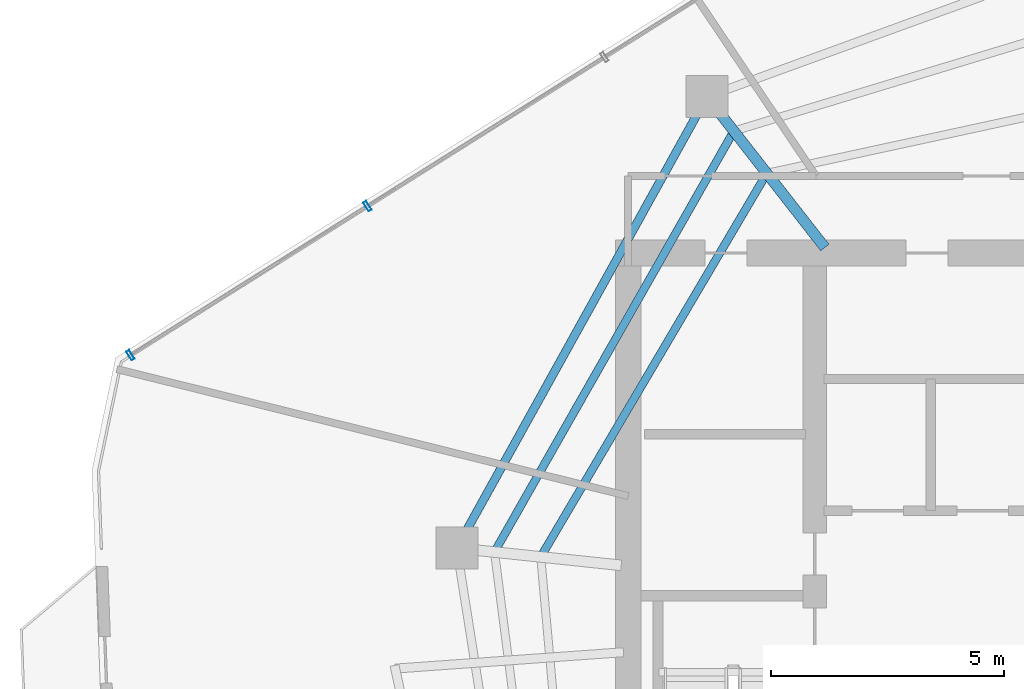
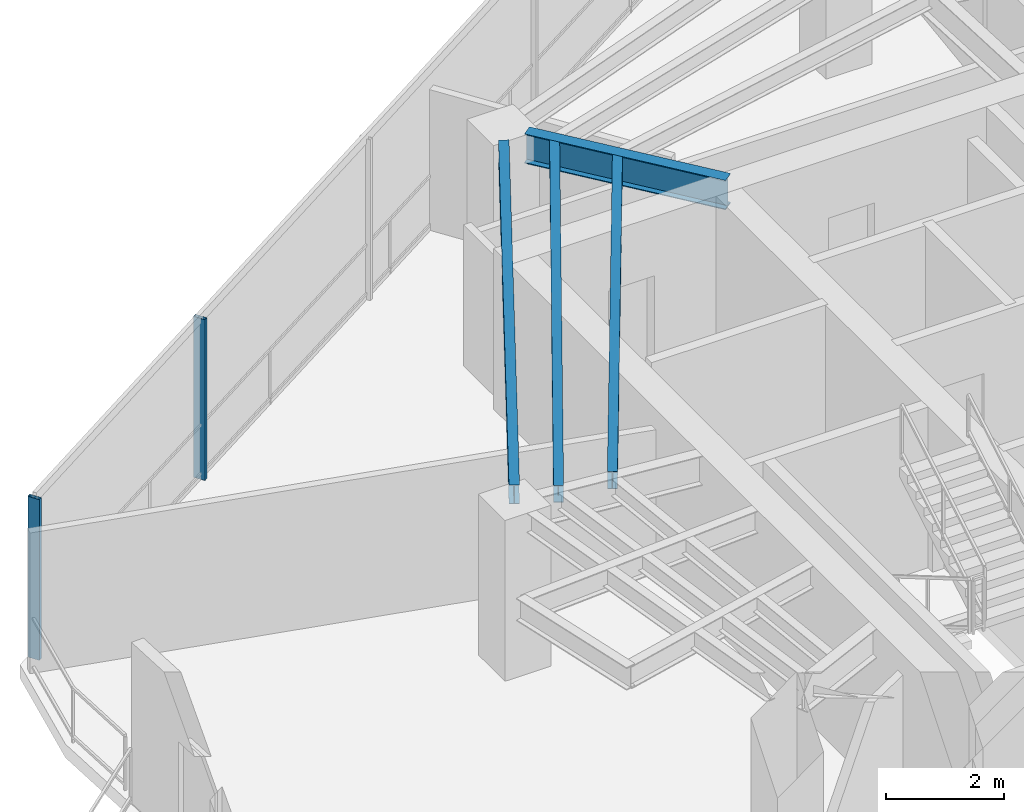
# One storey, part 5 of 19: 4 beams, 2 members, 1 element without a shape of its own.
"""IFC4 building model written with IfcOpenShell, lengths in metres."""

from ifc_helpers import new_model, si_unit, direction, frame, origin, origin_2d, place, context, subcontext, project, spatial, hollow_rectangle, i_section, extrude, material, layer, layer_set, material_profile, profile_set, type_object, element, aggregate, save


model = new_model("IFC4")

# Units and contexts
model_context = context("Model", 3, precision=1e-05, world=origin(), true_north=direction((0.0, 1.0)))
body_context = subcontext(model_context, "Body", "Model", "MODEL_VIEW")
ifc_project = project(units=[si_unit("LENGTHUNIT", "METRE"), si_unit("AREAUNIT", "SQUARE_METRE"), si_unit("VOLUMEUNIT", "CUBIC_METRE"), si_unit("PLANEANGLEUNIT", "RADIAN"), si_unit("MASSUNIT", "GRAM", prefix="KILO")], contexts=[model_context])

# Site, building, storey
site_placement = place(None, origin())
site = spatial("IfcSite", under=ifc_project, at=site_placement, CompositionType="ELEMENT")
building_placement = place(site_placement, origin())
building = spatial("IfcBuilding", under=site, at=building_placement, Name="Qarnah Convention Tower", CompositionType="ELEMENT")
storey_placement = place(building_placement, frame((0.0, 0.0, 187.800048828125)))
storey = spatial("IfcBuildingStorey", under=building, at=storey_placement, Name="L50", CompositionType="ELEMENT", Elevation=187.800048828125)

# Beams
ifc_material_1 = material(Name="Structural steel S355JR", Category="steel")
ifc_material_profile_1 = material_profile(ifc_material_1, i_section(OverallWidth=0.172119140625, OverallDepth=0.35595703125, WebThickness=0.007080078125, FlangeThickness=0.011962890625, at=origin_2d()), Name="W360X51")
ifc_profile_set_1 = profile_set([ifc_material_profile_1], Name="Structural steel S355JR")
beam_type_1 = type_object("IfcBeamType", Name="BM-JST-W360", PredefinedType="JOIST", material=ifc_profile_set_1)
beam_1_placement = place(storey_placement, frame((29.02001953125, 36.735107421875, 3.141845703125), z_axis=(-0.494322447591, -0.869278619206, 0.0), x_axis=(0.869278619206, -0.494322447591, 0.0)))
element("IfcBeam", 1, at=beam_1_placement, inside=storey, type_object=beam_type_1, Name="L50 joist BM-L50-SJST-04", PredefinedType="JOIST", context=body_context, shape_type="SweptSolid", body=[
    extrude(i_section(OverallWidth=0.172119140625, OverallDepth=0.35595703125, WebThickness=0.007080078125, FlangeThickness=0.011962890625, at=origin_2d()), origin(), (0.0, 0.0, 1.0), 10.19580078125),
])
beam_2_placement = place(storey_placement, frame((29.72509765625, 35.830078125, 3.141845703125), z_axis=(-0.507800878702, -0.861474472976, 0.0), x_axis=(0.861474472976, -0.507800878702, 0.0)))
element("IfcBeam", 2, at=beam_2_placement, inside=storey, type_object=beam_type_1, Name="L50 joist BM-L50-IJST-04", PredefinedType="JOIST", context=body_context, shape_type="SweptSolid", body=[
    extrude(i_section(OverallWidth=0.172119140625, OverallDepth=0.35595703125, WebThickness=0.007080078125, FlangeThickness=0.011962890625, at=origin_2d()), origin(), (0.0, 0.0, 1.0), 9.3583984375),
])
ifc_material_profile_2 = material_profile(ifc_material_1, i_section(OverallWidth=0.22802734375, OverallDepth=0.60791015625, WebThickness=0.010986328125, FlangeThickness=0.01708984375, at=origin_2d()), Name="W610X113")
ifc_profile_set_2 = profile_set([ifc_material_profile_2], Name="Structural steel S355JR")
beam_type_2 = type_object("IfcBeamType", Name="BM-RAD-W610B", PredefinedType="BEAM", material=ifc_profile_set_2)
beam_3_placement = place(storey_placement, frame((31.013916015625, 34.318115234375, 3.015869140625), z_axis=(-0.615807906571, 0.787896327066, 0.0), x_axis=(-0.787896327066, -0.615807906571, 0.0)))
element("IfcBeam", 3, at=beam_3_placement, inside=storey, type_object=beam_type_2, Name="L50 beam BM-L50-RAD-04", PredefinedType="BEAM", context=body_context, shape_type="SweptSolid", body=[
    extrude(i_section(OverallWidth=0.22802734375, OverallDepth=0.60791015625, WebThickness=0.010986328125, FlangeThickness=0.01708984375, at=origin_2d()), origin(), (0.0, 0.0, 1.0), 3.671630859375),
])
ifc_material_profile_3 = material_profile(ifc_material_1, i_section(OverallWidth=0.179931640625, OverallDepth=0.39990234375, WebThickness=0.009033203125, FlangeThickness=0.013916015625, at=origin_2d()), Name="IPE400")
ifc_profile_set_3 = profile_set([ifc_material_profile_3], Name="Structural steel S355JR")
beam_type_3 = type_object("IfcBeamType", Name="BM-SPN-IPE400", PredefinedType="SPANDREL", material=ifc_profile_set_3)
beam_4_placement = place(storey_placement, frame((28.27490234375, 37.1650390625, 3.119873046875), z_axis=(-0.48479945923, -0.874625339406, 0.0), x_axis=(0.874625339406, -0.48479945923, 0.0)))
element("IfcBeam", 4, at=beam_4_placement, inside=storey, type_object=beam_type_3, Name="L50 spandrel BM-L50-SPN-04", PredefinedType="SPANDREL", context=body_context, shape_type="SweptSolid", body=[
    extrude(i_section(OverallWidth=0.179931640625, OverallDepth=0.39990234375, WebThickness=0.009033203125, FlangeThickness=0.013916015625, at=origin_2d()), origin(), (0.0, 0.0, 1.0), 10.177001953125),
])

# Curtain wall, members
ifc_material_2 = material(Name="Tempered Low-E dark glass", Category="glass")
ifc_layer = layer(ifc_material_2, 0.174072265625)
ifc_layer_set = layer_set([ifc_layer], Name="Tempered Low-E dark glass")
curtain_wall_type = type_object("IfcCurtainWallType", Name="CWS-04", PredefinedType="NOTDEFINED", material=ifc_layer_set)
curtain_wall_placement = place(storey_placement, origin())
curtain_wall = element("IfcCurtainWall", 5, at=curtain_wall_placement, inside=storey, type_object=curtain_wall_type, Name="L50 unitised curtain wall CW-L50-F3", PredefinedType="NOTDEFINED")
ifc_material_3 = material(Name="Black anodised aluminium", Category="aluminium")
ifc_material_profile_4 = material_profile(ifc_material_3, hollow_rectangle(XDim=0.074951171875, YDim=0.219970703125, WallThickness=0.0048828125, at=origin_2d()), Name="MUL-75X220")
ifc_profile_set_4 = profile_set([ifc_material_profile_4], Name="Black anodised aluminium")
member_type = type_object("IfcMemberType", Name="MUL-T4", PredefinedType="MULLION", material=ifc_profile_set_4)
member_1_placement = place(storey_placement, frame((16.135986328125, 32.012939453125, 0.0), z_axis=(0.0, 0.0, 1.0), x_axis=(0.846567866925, 0.532280796845, 0.0)))
member_1 = element("IfcMember", 6, at=member_1_placement, type_object=member_type, Name="CW-L50-F3 mullion 1", PredefinedType="MULLION", context=body_context, shape_type="SweptSolid", body=[
    extrude(hollow_rectangle(XDim=0.074951171875, YDim=0.219970703125, WallThickness=0.0048828125, at=origin_2d()), origin(), (0.0, 0.0, 1.0), 3.320068359375),
])
member_2_placement = place(storey_placement, frame((21.214111328125, 35.205810546875, 0.0), z_axis=(0.0, 0.0, 1.0), x_axis=(0.846567866925, 0.532280796845, 0.0)))
member_2 = element("IfcMember", 7, at=member_2_placement, type_object=member_type, Name="CW-L50-F3 mullion 2", PredefinedType="MULLION", context=body_context, shape_type="SweptSolid", body=[
    extrude(hollow_rectangle(XDim=0.074951171875, YDim=0.219970703125, WallThickness=0.0048828125, at=origin_2d()), origin(), (0.0, 0.0, 1.0), 3.320068359375),
])
aggregate(curtain_wall, [member_1, member_2])

save(model, "model.ifc")
